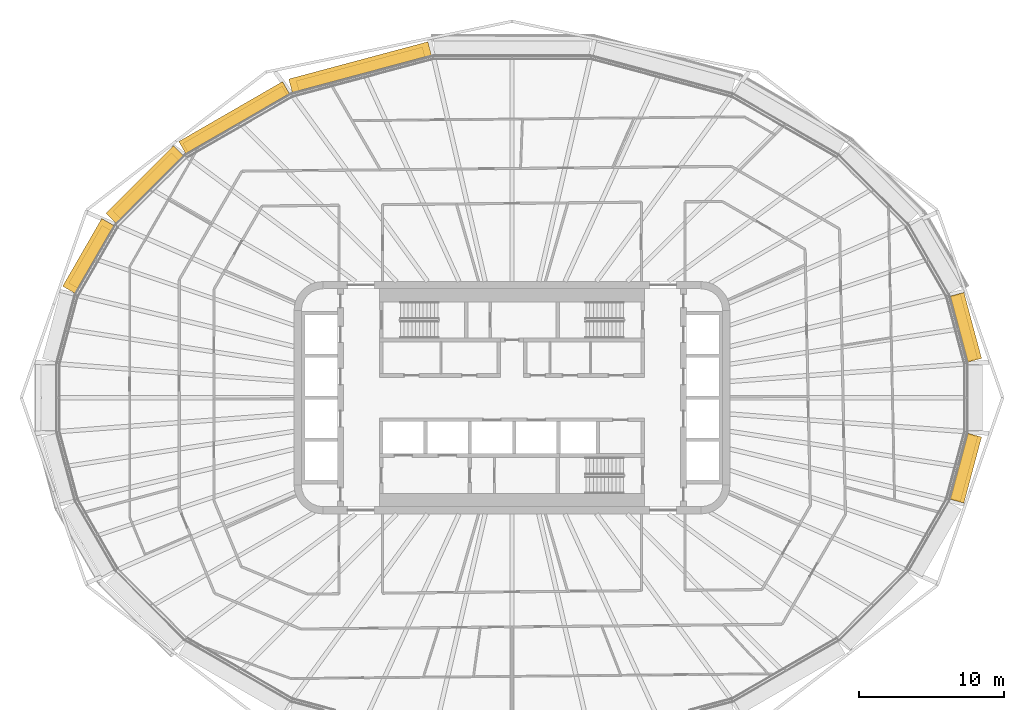
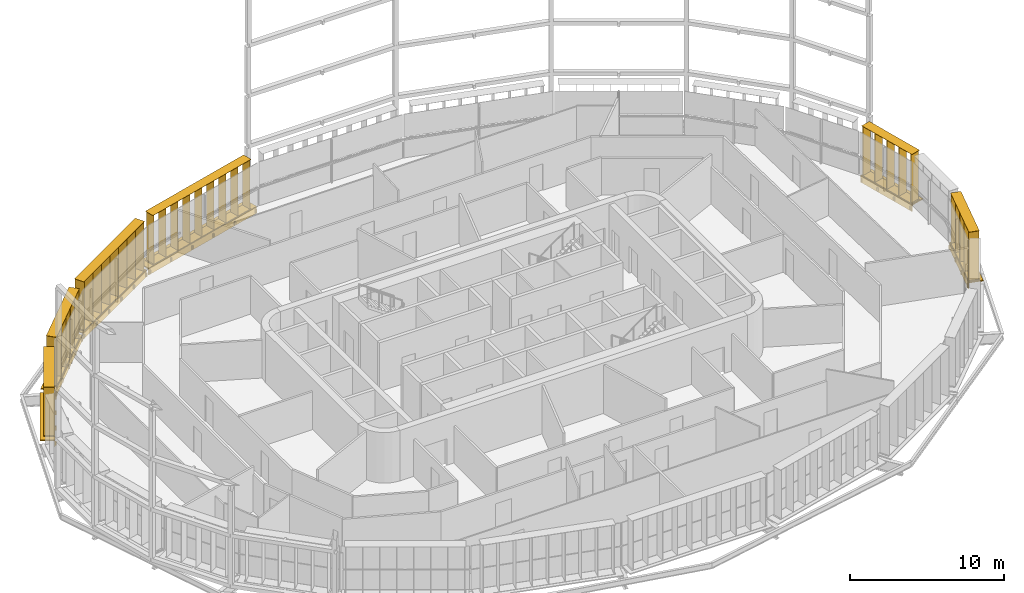
# One storey, part 22 of 24: 12 shading devices.
"""IFC4 building model written with IfcOpenShell, lengths in metres."""

from ifc_helpers import new_model, si_unit, direction, frame, origin, origin_2d, place, context, subcontext, project, spatial, rectangle, extrude, material, type_object, element, save


model = new_model("IFC4")

# Units and contexts
model_context = context("Model", 3, precision=1e-05, world=origin(), true_north=direction((0.0, 1.0)))
body_context = subcontext(model_context, "Body", "Model", "MODEL_VIEW")
ifc_project = project(units=[si_unit("LENGTHUNIT", "METRE"), si_unit("AREAUNIT", "SQUARE_METRE"), si_unit("VOLUMEUNIT", "CUBIC_METRE"), si_unit("PLANEANGLEUNIT", "RADIAN"), si_unit("MASSUNIT", "GRAM", prefix="KILO")], contexts=[model_context])

# Site, building, storey
site_placement = place(None, origin())
site = spatial("IfcSite", under=ifc_project, at=site_placement, CompositionType="ELEMENT")
building_placement = place(site_placement, origin())
building = spatial("IfcBuilding", under=site, at=building_placement, Name="Sahrelin Media Tower", CompositionType="ELEMENT")
storey_placement = place(building_placement, frame((0.0, 0.0, 153.60009765625)))
storey = spatial("IfcBuildingStorey", under=building, at=storey_placement, Name="L31", CompositionType="ELEMENT", Elevation=153.60009765625)

# Shading devices
ifc_material = material(Name="Champagne anodised aluminium 6063-T6", Category="aluminium")
shading_device_type_1 = type_object("IfcShadingDeviceType", Name="Fin cassette", PredefinedType="USERDEFINED", material=ifc_material)
placement_1 = place(storey_placement, frame((30.71728515625, 4.709716796875, 0.0), z_axis=(0.0, 0.0, 1.0), x_axis=(0.258807731996, -0.965928857556, 0.0)))
element("IfcShadingDevice", 1, at=placement_1, inside=storey, type_object=shading_device_type_1, Name="L31:FIN:L31-01", ObjectType="FIN", PredefinedType="USERDEFINED", context=body_context, shape_type="SweptSolid", body=[
    extrude(rectangle(XDim=4.60009765625, YDim=0.699951171875, at=origin_2d()), frame((0.0, 0.419921875, 0.0)), (0.0, 0.0, 1.0), 0.02001953125),
    extrude(rectangle(XDim=4.60009765625, YDim=0.699951171875, at=origin_2d()), frame((0.0, 0.419921875, 3.89990234375)), (0.0, 0.0, 1.0), 0.02001953125),
    extrude(rectangle(XDim=0.02001953125, YDim=0.699951171875, at=origin_2d()), frame((-2.199951171875, 0.419921875, 0.010009765625), z_axis=(0.0, 0.0, 1.0), x_axis=(1.0, 0.0, 0.0)), (0.0, 0.0, 1.0), 3.89990234375),
    extrude(rectangle(XDim=0.02001953125, YDim=0.699951171875, at=origin_2d()), frame((-1.10009765625, 0.419921875, 0.010009765625), z_axis=(0.0, 0.0, 1.0), x_axis=(1.0, 0.0, 0.0)), (0.0, 0.0, 1.0), 3.89990234375),
    extrude(rectangle(XDim=0.02001953125, YDim=0.699951171875, at=origin_2d()), frame((0.0, 0.419921875, 0.010009765625), z_axis=(0.0, 0.0, 1.0), x_axis=(1.0, 0.0, 0.0)), (0.0, 0.0, 1.0), 3.89990234375),
    extrude(rectangle(XDim=0.02001953125, YDim=0.699951171875, at=origin_2d()), frame((1.10009765625, 0.419921875, 0.010009765625), z_axis=(0.0, 0.0, 1.0), x_axis=(1.0, 0.0, 0.0)), (0.0, 0.0, 1.0), 3.89990234375),
    extrude(rectangle(XDim=0.02001953125, YDim=0.699951171875, at=origin_2d()), frame((2.199951171875, 0.419921875, 0.010009765625), z_axis=(0.0, 0.0, 1.0), x_axis=(1.0, 0.0, 0.0)), (0.0, 0.0, 1.0), 3.89990234375),
])
placement_2 = place(storey_placement, frame((-10.312255859375, 22.2236328125, 0.0), z_axis=(0.0, 0.0, 1.0), x_axis=(0.965928857556, 0.258807731996, 0.0)))
element("IfcShadingDevice", 2, at=placement_2, inside=storey, type_object=shading_device_type_1, Name="L31:FIN:L31-07", ObjectType="FIN", PredefinedType="USERDEFINED", context=body_context, shape_type="SweptSolid", body=[
    extrude(rectangle(XDim=9.0, YDim=0.699951171875, at=origin_2d()), frame((0.0, 0.419921875, 0.0)), (0.0, 0.0, 1.0), 0.02001953125),
    extrude(rectangle(XDim=9.0, YDim=0.699951171875, at=origin_2d()), frame((0.0, 0.419921875, 3.89990234375)), (0.0, 0.0, 1.0), 0.02001953125),
    extrude(rectangle(XDim=0.02001953125, YDim=0.699951171875, at=origin_2d()), frame((-4.39990234375, 0.419921875, 0.010009765625), z_axis=(0.0, 0.0, 1.0), x_axis=(1.0, 0.0, 0.0)), (0.0, 0.0, 1.0), 3.89990234375),
    extrude(rectangle(XDim=0.02001953125, YDim=0.699951171875, at=origin_2d()), frame((-3.300048828125, 0.419921875, 0.010009765625), z_axis=(0.0, 0.0, 1.0), x_axis=(1.0, 0.0, 0.0)), (0.0, 0.0, 1.0), 3.89990234375),
    extrude(rectangle(XDim=0.02001953125, YDim=0.699951171875, at=origin_2d()), frame((-2.199951171875, 0.419921875, 0.010009765625), z_axis=(0.0, 0.0, 1.0), x_axis=(1.0, 0.0, 0.0)), (0.0, 0.0, 1.0), 3.89990234375),
    extrude(rectangle(XDim=0.02001953125, YDim=0.699951171875, at=origin_2d()), frame((-1.10009765625, 0.419921875, 0.010009765625), z_axis=(0.0, 0.0, 1.0), x_axis=(1.0, 0.0, 0.0)), (0.0, 0.0, 1.0), 3.89990234375),
    extrude(rectangle(XDim=0.02001953125, YDim=0.699951171875, at=origin_2d()), frame((0.0, 0.419921875, 0.010009765625), z_axis=(0.0, 0.0, 1.0), x_axis=(1.0, 0.0, 0.0)), (0.0, 0.0, 1.0), 3.89990234375),
    extrude(rectangle(XDim=0.02001953125, YDim=0.699951171875, at=origin_2d()), frame((1.10009765625, 0.419921875, 0.010009765625), z_axis=(0.0, 0.0, 1.0), x_axis=(1.0, 0.0, 0.0)), (0.0, 0.0, 1.0), 3.89990234375),
    extrude(rectangle(XDim=0.02001953125, YDim=0.699951171875, at=origin_2d()), frame((2.199951171875, 0.419921875, 0.010009765625), z_axis=(0.0, 0.0, 1.0), x_axis=(1.0, 0.0, 0.0)), (0.0, 0.0, 1.0), 3.89990234375),
    extrude(rectangle(XDim=0.02001953125, YDim=0.699951171875, at=origin_2d()), frame((3.300048828125, 0.419921875, 0.010009765625), z_axis=(0.0, 0.0, 1.0), x_axis=(1.0, 0.0, 0.0)), (0.0, 0.0, 1.0), 3.89990234375),
    extrude(rectangle(XDim=0.02001953125, YDim=0.699951171875, at=origin_2d()), frame((4.39990234375, 0.419921875, 0.010009765625), z_axis=(0.0, 0.0, 1.0), x_axis=(1.0, 0.0, 0.0)), (0.0, 0.0, 1.0), 3.89990234375),
])
placement_3 = place(storey_placement, frame((-18.85107421875, 18.804931640625, 0.0), z_axis=(0.0, 0.0, 1.0), x_axis=(0.866019052629, 0.500011000363, 0.0)))
element("IfcShadingDevice", 3, at=placement_3, inside=storey, type_object=shading_device_type_1, Name="L31:FIN:L31-08", ObjectType="FIN", PredefinedType="USERDEFINED", context=body_context, shape_type="SweptSolid", body=[
    extrude(rectangle(XDim=7.89990234375, YDim=0.699951171875, at=origin_2d()), frame((0.0, 0.419921875, 0.0)), (0.0, 0.0, 1.0), 0.02001953125),
    extrude(rectangle(XDim=7.89990234375, YDim=0.699951171875, at=origin_2d()), frame((0.0, 0.419921875, 3.89990234375)), (0.0, 0.0, 1.0), 0.02001953125),
    extrude(rectangle(XDim=0.02001953125, YDim=0.699951171875, at=origin_2d()), frame((-3.85009765625, 0.419921875, 0.010009765625), z_axis=(0.0, 0.0, 1.0), x_axis=(1.0, 0.0, 0.0)), (0.0, 0.0, 1.0), 3.89990234375),
    extrude(rectangle(XDim=0.02001953125, YDim=0.699951171875, at=origin_2d()), frame((-2.75, 0.419921875, 0.010009765625), z_axis=(0.0, 0.0, 1.0), x_axis=(1.0, 0.0, 0.0)), (0.0, 0.0, 1.0), 3.89990234375),
    extrude(rectangle(XDim=0.02001953125, YDim=0.699951171875, at=origin_2d()), frame((-1.64990234375, 0.419921875, 0.010009765625), z_axis=(0.0, 0.0, 1.0), x_axis=(1.0, 0.0, 0.0)), (0.0, 0.0, 1.0), 3.89990234375),
    extrude(rectangle(XDim=0.02001953125, YDim=0.699951171875, at=origin_2d()), frame((-0.550048828125, 0.419921875, 0.010009765625), z_axis=(0.0, 0.0, 1.0), x_axis=(1.0, 0.0, 0.0)), (0.0, 0.0, 1.0), 3.89990234375),
    extrude(rectangle(XDim=0.02001953125, YDim=0.699951171875, at=origin_2d()), frame((0.550048828125, 0.419921875, 0.010009765625), z_axis=(0.0, 0.0, 1.0), x_axis=(1.0, 0.0, 0.0)), (0.0, 0.0, 1.0), 3.89990234375),
    extrude(rectangle(XDim=0.02001953125, YDim=0.699951171875, at=origin_2d()), frame((1.64990234375, 0.419921875, 0.010009765625), z_axis=(0.0, 0.0, 1.0), x_axis=(1.0, 0.0, 0.0)), (0.0, 0.0, 1.0), 3.89990234375),
    extrude(rectangle(XDim=0.02001953125, YDim=0.699951171875, at=origin_2d()), frame((2.75, 0.419921875, 0.010009765625), z_axis=(0.0, 0.0, 1.0), x_axis=(1.0, 0.0, 0.0)), (0.0, 0.0, 1.0), 3.89990234375),
    extrude(rectangle(XDim=0.02001953125, YDim=0.699951171875, at=origin_2d()), frame((3.85009765625, 0.419921875, 0.010009765625), z_axis=(0.0, 0.0, 1.0), x_axis=(1.0, 0.0, 0.0)), (0.0, 0.0, 1.0), 3.89990234375),
])
placement_4 = place(storey_placement, frame((-24.900390625, 14.300048828125, 0.0), z_axis=(0.0, 0.0, 1.0), x_axis=(0.707106781187, 0.707106781187, 0.0)))
element("IfcShadingDevice", 4, at=placement_4, inside=storey, type_object=shading_device_type_1, Name="L31:FIN:L31-09", ObjectType="FIN", PredefinedType="USERDEFINED", context=body_context, shape_type="SweptSolid", body=[
    extrude(rectangle(XDim=5.699951171875, YDim=0.699951171875, at=origin_2d()), frame((0.0, 0.419921875, 0.0)), (0.0, 0.0, 1.0), 0.02001953125),
    extrude(rectangle(XDim=5.699951171875, YDim=0.699951171875, at=origin_2d()), frame((0.0, 0.419921875, 3.89990234375)), (0.0, 0.0, 1.0), 0.02001953125),
    extrude(rectangle(XDim=0.02001953125, YDim=0.699951171875, at=origin_2d()), frame((-2.75, 0.419921875, 0.010009765625), z_axis=(0.0, 0.0, 1.0), x_axis=(1.0, 0.0, 0.0)), (0.0, 0.0, 1.0), 3.89990234375),
    extrude(rectangle(XDim=0.02001953125, YDim=0.699951171875, at=origin_2d()), frame((-1.64990234375, 0.419921875, 0.010009765625), z_axis=(0.0, 0.0, 1.0), x_axis=(1.0, 0.0, 0.0)), (0.0, 0.0, 1.0), 3.89990234375),
    extrude(rectangle(XDim=0.02001953125, YDim=0.699951171875, at=origin_2d()), frame((-0.550048828125, 0.419921875, 0.010009765625), z_axis=(0.0, 0.0, 1.0), x_axis=(1.0, 0.0, 0.0)), (0.0, 0.0, 1.0), 3.89990234375),
    extrude(rectangle(XDim=0.02001953125, YDim=0.699951171875, at=origin_2d()), frame((0.550048828125, 0.419921875, 0.010009765625), z_axis=(0.0, 0.0, 1.0), x_axis=(1.0, 0.0, 0.0)), (0.0, 0.0, 1.0), 3.89990234375),
    extrude(rectangle(XDim=0.02001953125, YDim=0.699951171875, at=origin_2d()), frame((1.64990234375, 0.419921875, 0.010009765625), z_axis=(0.0, 0.0, 1.0), x_axis=(1.0, 0.0, 0.0)), (0.0, 0.0, 1.0), 3.89990234375),
    extrude(rectangle(XDim=0.02001953125, YDim=0.699951171875, at=origin_2d()), frame((2.75, 0.419921875, 0.010009765625), z_axis=(0.0, 0.0, 1.0), x_axis=(1.0, 0.0, 0.0)), (0.0, 0.0, 1.0), 3.89990234375),
])
placement_5 = place(storey_placement, frame((-28.689208984375, 9.490966796875, 0.0), z_axis=(0.0, 0.0, 1.0), x_axis=(0.500011000363, 0.866019052629, 0.0)))
element("IfcShadingDevice", 5, at=placement_5, inside=storey, type_object=shading_device_type_1, Name="L31:FIN:L31-10", ObjectType="FIN", PredefinedType="USERDEFINED", context=body_context, shape_type="SweptSolid", body=[
    extrude(rectangle(XDim=4.60009765625, YDim=0.699951171875, at=origin_2d()), frame((0.0, 0.419921875, 0.0)), (0.0, 0.0, 1.0), 0.02001953125),
    extrude(rectangle(XDim=4.60009765625, YDim=0.699951171875, at=origin_2d()), frame((0.0, 0.419921875, 3.89990234375)), (0.0, 0.0, 1.0), 0.02001953125),
    extrude(rectangle(XDim=0.02001953125, YDim=0.699951171875, at=origin_2d()), frame((-2.199951171875, 0.419921875, 0.010009765625), z_axis=(0.0, 0.0, 1.0), x_axis=(1.0, 0.0, 0.0)), (0.0, 0.0, 1.0), 3.89990234375),
    extrude(rectangle(XDim=0.02001953125, YDim=0.699951171875, at=origin_2d()), frame((-1.10009765625, 0.419921875, 0.010009765625), z_axis=(0.0, 0.0, 1.0), x_axis=(1.0, 0.0, 0.0)), (0.0, 0.0, 1.0), 3.89990234375),
    extrude(rectangle(XDim=0.02001953125, YDim=0.699951171875, at=origin_2d()), frame((0.0, 0.419921875, 0.010009765625), z_axis=(0.0, 0.0, 1.0), x_axis=(1.0, 0.0, 0.0)), (0.0, 0.0, 1.0), 3.89990234375),
    extrude(rectangle(XDim=0.02001953125, YDim=0.699951171875, at=origin_2d()), frame((1.10009765625, 0.419921875, 0.010009765625), z_axis=(0.0, 0.0, 1.0), x_axis=(1.0, 0.0, 0.0)), (0.0, 0.0, 1.0), 3.89990234375),
    extrude(rectangle(XDim=0.02001953125, YDim=0.699951171875, at=origin_2d()), frame((2.199951171875, 0.419921875, 0.010009765625), z_axis=(0.0, 0.0, 1.0), x_axis=(1.0, 0.0, 0.0)), (0.0, 0.0, 1.0), 3.89990234375),
])
placement_6 = place(storey_placement, frame((30.71728515625, -4.709716796875, 0.0), z_axis=(0.0, 0.0, 1.0), x_axis=(-0.258807731996, -0.965928857556, 0.0)))
element("IfcShadingDevice", 6, at=placement_6, inside=storey, type_object=shading_device_type_1, Name="L31:FIN:L31-23", ObjectType="FIN", PredefinedType="USERDEFINED", context=body_context, shape_type="SweptSolid", body=[
    extrude(rectangle(XDim=4.60009765625, YDim=0.699951171875, at=origin_2d()), frame((0.0, 0.419921875, 0.0)), (0.0, 0.0, 1.0), 0.02001953125),
    extrude(rectangle(XDim=4.60009765625, YDim=0.699951171875, at=origin_2d()), frame((0.0, 0.419921875, 3.89990234375)), (0.0, 0.0, 1.0), 0.02001953125),
    extrude(rectangle(XDim=0.02001953125, YDim=0.699951171875, at=origin_2d()), frame((-2.199951171875, 0.419921875, 0.010009765625), z_axis=(0.0, 0.0, 1.0), x_axis=(1.0, 0.0, 0.0)), (0.0, 0.0, 1.0), 3.89990234375),
    extrude(rectangle(XDim=0.02001953125, YDim=0.699951171875, at=origin_2d()), frame((-1.10009765625, 0.419921875, 0.010009765625), z_axis=(0.0, 0.0, 1.0), x_axis=(1.0, 0.0, 0.0)), (0.0, 0.0, 1.0), 3.89990234375),
    extrude(rectangle(XDim=0.02001953125, YDim=0.699951171875, at=origin_2d()), frame((0.0, 0.419921875, 0.010009765625), z_axis=(0.0, 0.0, 1.0), x_axis=(1.0, 0.0, 0.0)), (0.0, 0.0, 1.0), 3.89990234375),
    extrude(rectangle(XDim=0.02001953125, YDim=0.699951171875, at=origin_2d()), frame((1.10009765625, 0.419921875, 0.010009765625), z_axis=(0.0, 0.0, 1.0), x_axis=(1.0, 0.0, 0.0)), (0.0, 0.0, 1.0), 3.89990234375),
    extrude(rectangle(XDim=0.02001953125, YDim=0.699951171875, at=origin_2d()), frame((2.199951171875, 0.419921875, 0.010009765625), z_axis=(0.0, 0.0, 1.0), x_axis=(1.0, 0.0, 0.0)), (0.0, 0.0, 1.0), 3.89990234375),
])
shading_device_type_2 = type_object("IfcShadingDeviceType", Name="Sunshade band", PredefinedType="USERDEFINED", material=ifc_material)
element("IfcShadingDevice", 7, at=placement_1, inside=storey, type_object=shading_device_type_2, Name="L31:SUN:L31-01", ObjectType="SUNSHADE", PredefinedType="USERDEFINED", context=body_context, shape_type="SweptSolid", body=[
    extrude(rectangle(XDim=4.70068359375, YDim=0.050048828125, at=origin_2d()), frame((0.0, 0.044921875, -0.55126953125)), (0.0, 0.0, 1.0), 0.471435546875),
    extrude(rectangle(XDim=4.70068359375, YDim=1.0, at=origin_2d()), frame((0.0, 0.52001953125, -0.080078125)), (0.0, 0.0, 1.0), 0.080078125),
    extrude(rectangle(XDim=0.10009765625, YDim=0.074951171875, at=origin_2d()), frame((-2.250244140625, -0.017578125, -0.47021484375)), (0.0, 0.0, 1.0), 0.300048828125),
    extrude(rectangle(XDim=0.10009765625, YDim=0.074951171875, at=origin_2d()), frame((-0.75, -0.017578125, -0.47021484375)), (0.0, 0.0, 1.0), 0.300048828125),
    extrude(rectangle(XDim=0.10009765625, YDim=0.074951171875, at=origin_2d()), frame((0.75, -0.017578125, -0.47021484375)), (0.0, 0.0, 1.0), 0.300048828125),
    extrude(rectangle(XDim=0.10009765625, YDim=0.074951171875, at=origin_2d()), frame((2.250244140625, -0.017578125, -0.47021484375)), (0.0, 0.0, 1.0), 0.300048828125),
])
element("IfcShadingDevice", 8, at=placement_2, inside=storey, type_object=shading_device_type_2, Name="L31:SUN:L31-07", ObjectType="SUNSHADE", PredefinedType="USERDEFINED", context=body_context, shape_type="SweptSolid", body=[
    extrude(rectangle(XDim=9.91259765625, YDim=0.050048828125, at=origin_2d()), frame((0.0, 0.044921875, -0.55126953125)), (0.0, 0.0, 1.0), 0.471435546875),
    extrude(rectangle(XDim=9.91259765625, YDim=1.0, at=origin_2d()), frame((0.0, 0.52001953125, -0.080078125)), (0.0, 0.0, 1.0), 0.080078125),
    extrude(rectangle(XDim=0.10009765625, YDim=0.074951171875, at=origin_2d()), frame((-4.856201171875, -0.017578125, -0.47021484375)), (0.0, 0.0, 1.0), 0.300048828125),
    extrude(rectangle(XDim=0.10009765625, YDim=0.074951171875, at=origin_2d()), frame((-2.913818359375, -0.017578125, -0.47021484375)), (0.0, 0.0, 1.0), 0.300048828125),
    extrude(rectangle(XDim=0.10009765625, YDim=0.074951171875, at=origin_2d()), frame((-0.97119140625, -0.017578125, -0.47021484375)), (0.0, 0.0, 1.0), 0.300048828125),
    extrude(rectangle(XDim=0.10009765625, YDim=0.074951171875, at=origin_2d()), frame((0.97119140625, -0.017578125, -0.47021484375)), (0.0, 0.0, 1.0), 0.300048828125),
    extrude(rectangle(XDim=0.10009765625, YDim=0.074951171875, at=origin_2d()), frame((2.913818359375, -0.017578125, -0.47021484375)), (0.0, 0.0, 1.0), 0.300048828125),
    extrude(rectangle(XDim=0.10009765625, YDim=0.074951171875, at=origin_2d()), frame((4.856201171875, -0.017578125, -0.47021484375)), (0.0, 0.0, 1.0), 0.300048828125),
])
element("IfcShadingDevice", 9, at=placement_3, inside=storey, type_object=shading_device_type_2, Name="L31:SUN:L31-08", ObjectType="SUNSHADE", PredefinedType="USERDEFINED", context=body_context, shape_type="SweptSolid", body=[
    extrude(rectangle(XDim=8.240478515625, YDim=0.050048828125, at=origin_2d()), frame((0.0, 0.044921875, -0.55126953125)), (0.0, 0.0, 1.0), 0.471435546875),
    extrude(rectangle(XDim=8.240478515625, YDim=1.0, at=origin_2d()), frame((0.0, 0.52001953125, -0.080078125)), (0.0, 0.0, 1.0), 0.080078125),
    extrude(rectangle(XDim=0.10009765625, YDim=0.074951171875, at=origin_2d()), frame((-4.020263671875, -0.017578125, -0.47021484375)), (0.0, 0.0, 1.0), 0.300048828125),
    extrude(rectangle(XDim=0.10009765625, YDim=0.074951171875, at=origin_2d()), frame((-2.412109375, -0.017578125, -0.47021484375)), (0.0, 0.0, 1.0), 0.300048828125),
    extrude(rectangle(XDim=0.10009765625, YDim=0.074951171875, at=origin_2d()), frame((-0.803955078125, -0.017578125, -0.47021484375)), (0.0, 0.0, 1.0), 0.300048828125),
    extrude(rectangle(XDim=0.10009765625, YDim=0.074951171875, at=origin_2d()), frame((0.803955078125, -0.017578125, -0.47021484375)), (0.0, 0.0, 1.0), 0.300048828125),
    extrude(rectangle(XDim=0.10009765625, YDim=0.074951171875, at=origin_2d()), frame((2.412109375, -0.017578125, -0.47021484375)), (0.0, 0.0, 1.0), 0.300048828125),
    extrude(rectangle(XDim=0.10009765625, YDim=0.074951171875, at=origin_2d()), frame((4.020263671875, -0.017578125, -0.47021484375)), (0.0, 0.0, 1.0), 0.300048828125),
])
element("IfcShadingDevice", 10, at=placement_4, inside=storey, type_object=shading_device_type_2, Name="L31:SUN:L31-09", ObjectType="SUNSHADE", PredefinedType="USERDEFINED", context=body_context, shape_type="SweptSolid", body=[
    extrude(rectangle(XDim=6.573486328125, YDim=0.050048828125, at=origin_2d()), frame((0.0, 0.044921875, -0.55126953125)), (0.0, 0.0, 1.0), 0.471435546875),
    extrude(rectangle(XDim=6.573486328125, YDim=1.0, at=origin_2d()), frame((0.0, 0.52001953125, -0.080078125)), (0.0, 0.0, 1.0), 0.080078125),
    extrude(rectangle(XDim=0.10009765625, YDim=0.074951171875, at=origin_2d()), frame((-3.186767578125, -0.017578125, -0.47021484375)), (0.0, 0.0, 1.0), 0.300048828125),
    extrude(rectangle(XDim=0.10009765625, YDim=0.074951171875, at=origin_2d()), frame((-1.59326171875, -0.017578125, -0.47021484375)), (0.0, 0.0, 1.0), 0.300048828125),
    extrude(rectangle(XDim=0.10009765625, YDim=0.074951171875, at=origin_2d()), frame((0.0, -0.017578125, -0.47021484375)), (0.0, 0.0, 1.0), 0.300048828125),
    extrude(rectangle(XDim=0.10009765625, YDim=0.074951171875, at=origin_2d()), frame((1.59326171875, -0.017578125, -0.47021484375)), (0.0, 0.0, 1.0), 0.300048828125),
    extrude(rectangle(XDim=0.10009765625, YDim=0.074951171875, at=origin_2d()), frame((3.186767578125, -0.017578125, -0.47021484375)), (0.0, 0.0, 1.0), 0.300048828125),
])
element("IfcShadingDevice", 11, at=placement_5, inside=storey, type_object=shading_device_type_2, Name="L31:SUN:L31-10", ObjectType="SUNSHADE", PredefinedType="USERDEFINED", context=body_context, shape_type="SweptSolid", body=[
    extrude(rectangle(XDim=5.375732421875, YDim=0.050048828125, at=origin_2d()), frame((0.0, 0.044921875, -0.55126953125)), (0.0, 0.0, 1.0), 0.471435546875),
    extrude(rectangle(XDim=5.375732421875, YDim=1.0, at=origin_2d()), frame((0.0, 0.52001953125, -0.080078125)), (0.0, 0.0, 1.0), 0.080078125),
    extrude(rectangle(XDim=0.10009765625, YDim=0.074951171875, at=origin_2d()), frame((-2.587890625, -0.017578125, -0.47021484375)), (0.0, 0.0, 1.0), 0.300048828125),
    extrude(rectangle(XDim=0.10009765625, YDim=0.074951171875, at=origin_2d()), frame((-0.862548828125, -0.017578125, -0.47021484375)), (0.0, 0.0, 1.0), 0.300048828125),
    extrude(rectangle(XDim=0.10009765625, YDim=0.074951171875, at=origin_2d()), frame((0.862548828125, -0.017578125, -0.47021484375)), (0.0, 0.0, 1.0), 0.300048828125),
    extrude(rectangle(XDim=0.10009765625, YDim=0.074951171875, at=origin_2d()), frame((2.587890625, -0.017578125, -0.47021484375)), (0.0, 0.0, 1.0), 0.300048828125),
])
element("IfcShadingDevice", 12, at=placement_6, inside=storey, type_object=shading_device_type_2, Name="L31:SUN:L31-23", ObjectType="SUNSHADE", PredefinedType="USERDEFINED", context=body_context, shape_type="SweptSolid", body=[
    extrude(rectangle(XDim=4.70068359375, YDim=0.050048828125, at=origin_2d()), frame((0.0, 0.044921875, -0.55126953125)), (0.0, 0.0, 1.0), 0.471435546875),
    extrude(rectangle(XDim=4.70068359375, YDim=1.0, at=origin_2d()), frame((0.0, 0.52001953125, -0.080078125)), (0.0, 0.0, 1.0), 0.080078125),
    extrude(rectangle(XDim=0.10009765625, YDim=0.074951171875, at=origin_2d()), frame((-2.250244140625, -0.017578125, -0.47021484375)), (0.0, 0.0, 1.0), 0.300048828125),
    extrude(rectangle(XDim=0.10009765625, YDim=0.074951171875, at=origin_2d()), frame((-0.75, -0.017578125, -0.47021484375)), (0.0, 0.0, 1.0), 0.300048828125),
    extrude(rectangle(XDim=0.10009765625, YDim=0.074951171875, at=origin_2d()), frame((0.75, -0.017578125, -0.47021484375)), (0.0, 0.0, 1.0), 0.300048828125),
    extrude(rectangle(XDim=0.10009765625, YDim=0.074951171875, at=origin_2d()), frame((2.250244140625, -0.017578125, -0.47021484375)), (0.0, 0.0, 1.0), 0.300048828125),
])

save(model, "model.ifc")
